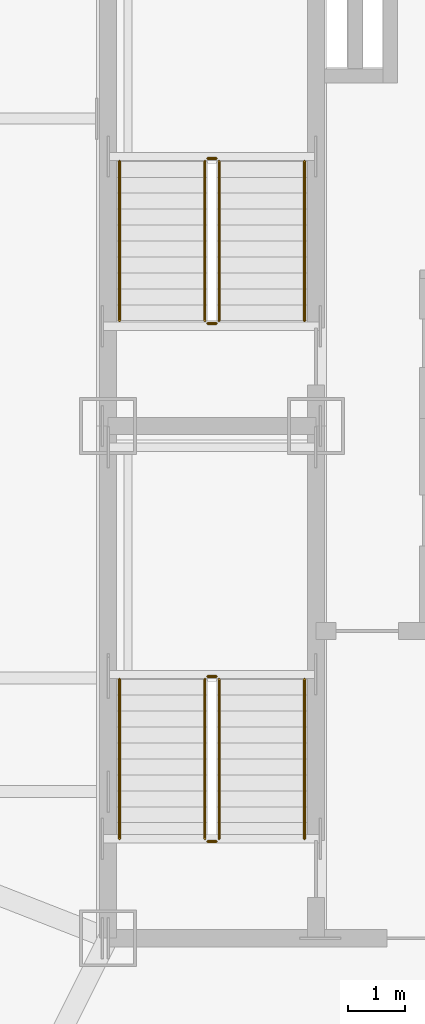
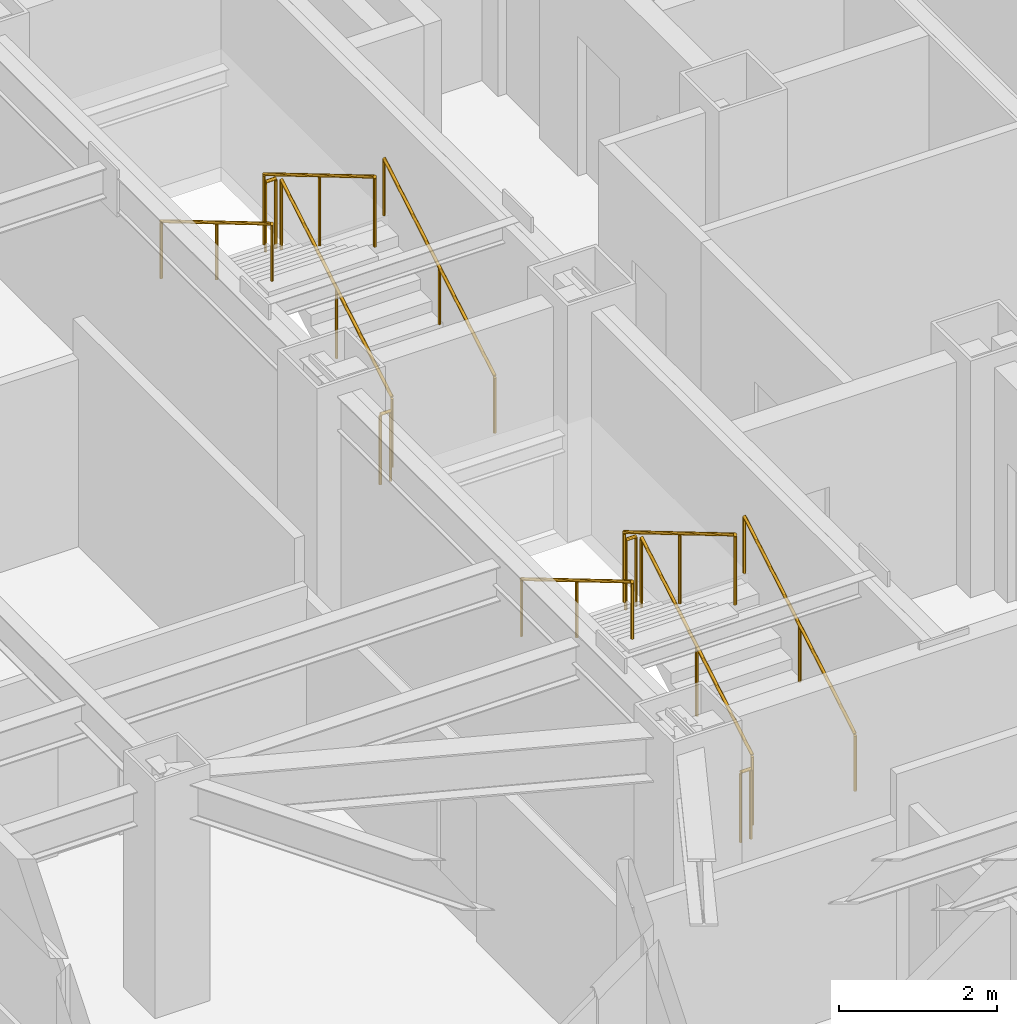
# One storey, part 10 of 10: 12 railings.
"""IFC4 building model written with IfcOpenShell, lengths in metres."""

from ifc_helpers import new_model, si_unit, direction, frame, origin, origin_2d, place, context, subcontext, project, spatial, circle, extrude, material, type_object, element, save


model = new_model("IFC4")

# Units and contexts
model_context = context("Model", 3, precision=1e-05, world=origin(), true_north=direction((0.0, 1.0)))
body_context = subcontext(model_context, "Body", "Model", "MODEL_VIEW")
ifc_project = project(units=[si_unit("LENGTHUNIT", "METRE"), si_unit("AREAUNIT", "SQUARE_METRE"), si_unit("VOLUMEUNIT", "CUBIC_METRE"), si_unit("PLANEANGLEUNIT", "RADIAN"), si_unit("MASSUNIT", "GRAM", prefix="KILO")], contexts=[model_context])

# Site, building, storey
site_placement = place(None, origin())
site = spatial("IfcSite", under=ifc_project, at=site_placement, CompositionType="ELEMENT")
building_placement = place(site_placement, origin())
building = spatial("IfcBuilding", under=site, at=building_placement, Name="Khamvora Tower", CompositionType="ELEMENT")
storey_placement = place(building_placement, frame((0.0, 0.0, 246.39990234375)))
storey = spatial("IfcBuildingStorey", under=building, at=storey_placement, Name="L63", CompositionType="ELEMENT", Elevation=246.39990234375)

# Railings
ifc_material_1 = material(Name="Brushed Stainless Steel 316", Category="steel")
railing_type_1 = type_object("IfcRailingType", Name="RAL-HDR-920", PredefinedType="HANDRAIL", material=ifc_material_1)
railing_1_placement = place(storey_placement, frame((32.449951171875, 20.75, 0.166015625)))
element("IfcRailing", 1, at=railing_1_placement, inside=storey, type_object=railing_type_1, Name="L63 ST-01 stair handrail 1", PredefinedType="HANDRAIL", context=body_context, shape_type="SweptSolid", body=[
    extrude(circle(Radius=0.02392578125, at=origin_2d()), frame((0.0, 0.0, 0.8759765625), z_axis=(0.0, 0.860306154799, 0.50977771628), x_axis=(-1.0, 0.0, 0.0)), (0.0, 0.0, 1.0), 3.254638671875),
    extrude(circle(Radius=0.02099609375, at=origin_2d()), origin(), (0.0, 0.0, 1.0), 0.851806640625),
    extrude(circle(Radius=0.02099609375, at=origin_2d()), frame((0.0, 1.39990234375, 0.82958984375)), (0.0, 0.0, 1.0), 0.851806640625),
    extrude(circle(Radius=0.02099609375, at=origin_2d()), frame((0.0, 2.800048828125, 1.6591796875)), (0.0, 0.0, 1.0), 0.851806640625),
])
railing_2_placement = place(storey_placement, frame((29.199951171875, 23.550048828125, 1.990966796875)))
element("IfcRailing", 2, at=railing_2_placement, inside=storey, type_object=railing_type_1, Name="L63 ST-01 stair handrail 2", PredefinedType="HANDRAIL", context=body_context, shape_type="SweptSolid", body=[
    extrude(circle(Radius=0.02392578125, at=origin_2d()), frame((0.0, 0.0, 0.8759765625), z_axis=(0.0, -0.860306154799, 0.50977771628), x_axis=(1.0, 0.0, 0.0)), (0.0, 0.0, 1.0), 3.254638671875),
    extrude(circle(Radius=0.02099609375, at=origin_2d()), origin(), (0.0, 0.0, 1.0), 0.851806640625),
    extrude(circle(Radius=0.02099609375, at=origin_2d()), frame((0.0, -1.39990234375, 0.82958984375)), (0.0, 0.0, 1.0), 0.851806640625),
    extrude(circle(Radius=0.02099609375, at=origin_2d()), frame((0.0, -2.800048828125, 1.6591796875)), (0.0, 0.0, 1.0), 0.851806640625),
])
railing_3_placement = place(storey_placement, frame((32.449951171875, 29.85009765625, 0.166015625)))
element("IfcRailing", 3, at=railing_3_placement, inside=storey, type_object=railing_type_1, Name="L63 ST-02 stair handrail 1", PredefinedType="HANDRAIL", context=body_context, shape_type="SweptSolid", body=[
    extrude(circle(Radius=0.02392578125, at=origin_2d()), frame((0.0, 0.0, 0.8759765625), z_axis=(0.0, 0.860286659441, 0.509810615413), x_axis=(-1.0, 0.0, 0.0)), (0.0, 0.0, 1.0), 3.25439453125),
    extrude(circle(Radius=0.02099609375, at=origin_2d()), origin(), (0.0, 0.0, 1.0), 0.851806640625),
    extrude(circle(Radius=0.02099609375, at=origin_2d()), frame((0.0, 1.39990234375, 0.82958984375)), (0.0, 0.0, 1.0), 0.851806640625),
    extrude(circle(Radius=0.02099609375, at=origin_2d()), frame((0.0, 2.7998046875, 1.6591796875)), (0.0, 0.0, 1.0), 0.851806640625),
])
railing_4_placement = place(storey_placement, frame((29.199951171875, 32.64990234375, 1.990966796875)))
element("IfcRailing", 4, at=railing_4_placement, inside=storey, type_object=railing_type_1, Name="L63 ST-02 stair handrail 2", PredefinedType="HANDRAIL", context=body_context, shape_type="SweptSolid", body=[
    extrude(circle(Radius=0.02392578125, at=origin_2d()), frame((0.0, 0.0, 0.8759765625), z_axis=(0.0, -0.860286659441, 0.509810615413), x_axis=(1.0, 0.0, 0.0)), (0.0, 0.0, 1.0), 3.25439453125),
    extrude(circle(Radius=0.02099609375, at=origin_2d()), origin(), (0.0, 0.0, 1.0), 0.851806640625),
    extrude(circle(Radius=0.02099609375, at=origin_2d()), frame((0.0, -1.39990234375, 0.82958984375)), (0.0, 0.0, 1.0), 0.851806640625),
    extrude(circle(Radius=0.02099609375, at=origin_2d()), frame((0.0, -2.7998046875, 1.6591796875)), (0.0, 0.0, 1.0), 0.851806640625),
])
ifc_material_2 = material(Name="Stainless Steel 316", Category="steel")
railing_type_2 = type_object("IfcRailingType", Name="RAL-STG-1100", PredefinedType="GUARDRAIL", material=ifc_material_2)
railing_5_placement = place(storey_placement, frame((30.949951171875, 20.75, 0.166015625)))
element("IfcRailing", 5, at=railing_5_placement, inside=storey, type_object=railing_type_2, Name="L63 ST-01 stair guard 1", PredefinedType="GUARDRAIL", context=body_context, shape_type="SweptSolid", body=[
    extrude(circle(Radius=0.02392578125, at=origin_2d()), frame((0.0, 0.0, 1.076171875), z_axis=(0.0, 0.860306154799, 0.50977771628), x_axis=(-1.0, 0.0, 0.0)), (0.0, 0.0, 1.0), 3.254638671875),
    extrude(circle(Radius=0.02099609375, at=origin_2d()), origin(), (0.0, 0.0, 1.0), 1.052001953125),
    extrude(circle(Radius=0.02099609375, at=origin_2d()), frame((0.0, 1.39990234375, 0.82958984375)), (0.0, 0.0, 1.0), 1.052001953125),
    extrude(circle(Radius=0.02099609375, at=origin_2d()), frame((0.0, 2.800048828125, 1.6591796875)), (0.0, 0.0, 1.0), 1.052001953125),
])
railing_6_placement = place(storey_placement, frame((30.89990234375, 23.60009765625, 1.8251953125)))
element("IfcRailing", 6, at=railing_6_placement, inside=storey, type_object=railing_type_2, Name="L63 ST-01 stair guard 2", PredefinedType="GUARDRAIL", context=body_context, shape_type="SweptSolid", body=[
    extrude(circle(Radius=0.02392578125, at=origin_2d()), frame((0.0, 0.0, 1.076171875), z_axis=(-1.0, 0.0, 0.0), x_axis=(0.0, -1.0, 0.0)), (0.0, 0.0, 1.0), 0.14990234375),
    extrude(circle(Radius=0.02099609375, at=origin_2d()), origin(), (0.0, 0.0, 1.0), 1.052001953125),
    extrude(circle(Radius=0.02099609375, at=origin_2d()), frame((-0.14990234375, 0.0, 0.0)), (0.0, 0.0, 1.0), 1.052001953125),
])
railing_7_placement = place(storey_placement, frame((30.699951171875, 23.550048828125, 1.990966796875)))
element("IfcRailing", 7, at=railing_7_placement, inside=storey, type_object=railing_type_2, Name="L63 ST-01 stair guard 3", PredefinedType="GUARDRAIL", context=body_context, shape_type="SweptSolid", body=[
    extrude(circle(Radius=0.02392578125, at=origin_2d()), frame((0.0, 0.0, 1.076171875), z_axis=(0.0, -0.860306154799, 0.50977771628), x_axis=(1.0, 0.0, 0.0)), (0.0, 0.0, 1.0), 3.254638671875),
    extrude(circle(Radius=0.02099609375, at=origin_2d()), origin(), (0.0, 0.0, 1.0), 1.052001953125),
    extrude(circle(Radius=0.02099609375, at=origin_2d()), frame((0.0, -1.39990234375, 0.82958984375)), (0.0, 0.0, 1.0), 1.052001953125),
    extrude(circle(Radius=0.02099609375, at=origin_2d()), frame((0.0, -2.800048828125, 1.6591796875)), (0.0, 0.0, 1.0), 1.052001953125),
])
railing_8_placement = place(storey_placement, frame((30.89990234375, 20.699951171875, 0.0)))
element("IfcRailing", 8, at=railing_8_placement, inside=storey, type_object=railing_type_2, Name="L63 ST-01 stair guard 4", PredefinedType="GUARDRAIL", context=body_context, shape_type="SweptSolid", body=[
    extrude(circle(Radius=0.02392578125, at=origin_2d()), frame((0.0, 0.0, 1.076171875), z_axis=(-1.0, 0.0, 0.0), x_axis=(0.0, -1.0, 0.0)), (0.0, 0.0, 1.0), 0.14990234375),
    extrude(circle(Radius=0.02099609375, at=origin_2d()), origin(), (0.0, 0.0, 1.0), 1.052001953125),
    extrude(circle(Radius=0.02099609375, at=origin_2d()), frame((-0.14990234375, 0.0, 0.0)), (0.0, 0.0, 1.0), 1.052001953125),
])
railing_9_placement = place(storey_placement, frame((30.949951171875, 29.85009765625, 0.166015625)))
element("IfcRailing", 9, at=railing_9_placement, inside=storey, type_object=railing_type_2, Name="L63 ST-02 stair guard 1", PredefinedType="GUARDRAIL", context=body_context, shape_type="SweptSolid", body=[
    extrude(circle(Radius=0.02392578125, at=origin_2d()), frame((0.0, 0.0, 1.076171875), z_axis=(0.0, 0.860286659441, 0.509810615413), x_axis=(-1.0, 0.0, 0.0)), (0.0, 0.0, 1.0), 3.25439453125),
    extrude(circle(Radius=0.02099609375, at=origin_2d()), origin(), (0.0, 0.0, 1.0), 1.052001953125),
    extrude(circle(Radius=0.02099609375, at=origin_2d()), frame((0.0, 1.39990234375, 0.82958984375)), (0.0, 0.0, 1.0), 1.052001953125),
    extrude(circle(Radius=0.02099609375, at=origin_2d()), frame((0.0, 2.7998046875, 1.6591796875)), (0.0, 0.0, 1.0), 1.052001953125),
])
railing_10_placement = place(storey_placement, frame((30.89990234375, 32.699951171875, 1.8251953125)))
element("IfcRailing", 10, at=railing_10_placement, inside=storey, type_object=railing_type_2, Name="L63 ST-02 stair guard 2", PredefinedType="GUARDRAIL", context=body_context, shape_type="SweptSolid", body=[
    extrude(circle(Radius=0.02392578125, at=origin_2d()), frame((0.0, 0.0, 1.076171875), z_axis=(-1.0, 0.0, 0.0), x_axis=(0.0, -1.0, 0.0)), (0.0, 0.0, 1.0), 0.14990234375),
    extrude(circle(Radius=0.02099609375, at=origin_2d()), origin(), (0.0, 0.0, 1.0), 1.052001953125),
    extrude(circle(Radius=0.02099609375, at=origin_2d()), frame((-0.14990234375, 0.0, 0.0)), (0.0, 0.0, 1.0), 1.052001953125),
])
railing_11_placement = place(storey_placement, frame((30.699951171875, 32.64990234375, 1.990966796875)))
element("IfcRailing", 11, at=railing_11_placement, inside=storey, type_object=railing_type_2, Name="L63 ST-02 stair guard 3", PredefinedType="GUARDRAIL", context=body_context, shape_type="SweptSolid", body=[
    extrude(circle(Radius=0.02392578125, at=origin_2d()), frame((0.0, 0.0, 1.076171875), z_axis=(0.0, -0.860286659441, 0.509810615413), x_axis=(1.0, 0.0, 0.0)), (0.0, 0.0, 1.0), 3.25439453125),
    extrude(circle(Radius=0.02099609375, at=origin_2d()), origin(), (0.0, 0.0, 1.0), 1.052001953125),
    extrude(circle(Radius=0.02099609375, at=origin_2d()), frame((0.0, -1.39990234375, 0.82958984375)), (0.0, 0.0, 1.0), 1.052001953125),
    extrude(circle(Radius=0.02099609375, at=origin_2d()), frame((0.0, -2.7998046875, 1.6591796875)), (0.0, 0.0, 1.0), 1.052001953125),
])
railing_12_placement = place(storey_placement, frame((30.89990234375, 29.800048828125, 0.0)))
element("IfcRailing", 12, at=railing_12_placement, inside=storey, type_object=railing_type_2, Name="L63 ST-02 stair guard 4", PredefinedType="GUARDRAIL", context=body_context, shape_type="SweptSolid", body=[
    extrude(circle(Radius=0.02392578125, at=origin_2d()), frame((0.0, 0.0, 1.076171875), z_axis=(-1.0, 0.0, 0.0), x_axis=(0.0, -1.0, 0.0)), (0.0, 0.0, 1.0), 0.14990234375),
    extrude(circle(Radius=0.02099609375, at=origin_2d()), origin(), (0.0, 0.0, 1.0), 1.052001953125),
    extrude(circle(Radius=0.02099609375, at=origin_2d()), frame((-0.14990234375, 0.0, 0.0)), (0.0, 0.0, 1.0), 1.052001953125),
])

save(model, "model.ifc")
